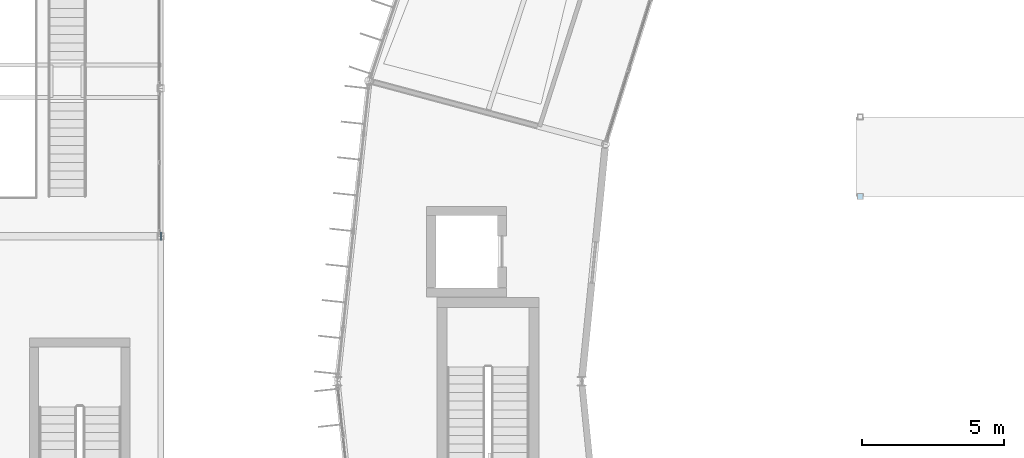
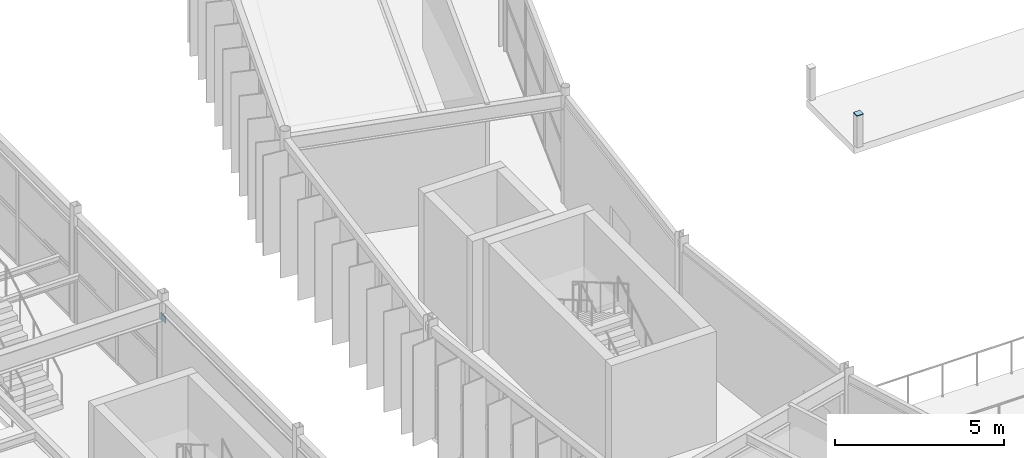
# One storey, part 112 of 147: 2 plates.
"""IFC4 building model written with IfcOpenShell, lengths in metres."""

from ifc_helpers import new_model, si_unit, direction, frame, origin, origin_2d, place, context, subcontext, project, spatial, rectangle, extrude, material, layer, layer_set, type_object, element, save


model = new_model("IFC4")

# Units and contexts
model_context = context("Model", 3, precision=1e-05, world=origin(), true_north=direction((0.0, 1.0)))
body_context = subcontext(model_context, "Body", "Model", "MODEL_VIEW")
ifc_project = project(units=[si_unit("LENGTHUNIT", "METRE"), si_unit("AREAUNIT", "SQUARE_METRE"), si_unit("VOLUMEUNIT", "CUBIC_METRE"), si_unit("PLANEANGLEUNIT", "RADIAN"), si_unit("MASSUNIT", "GRAM", prefix="KILO")], contexts=[model_context])

# Site, building, storey
site_placement = place(None, origin())
site = spatial("IfcSite", under=ifc_project, at=site_placement, CompositionType="ELEMENT")
building_placement = place(site_placement, origin())
building = spatial("IfcBuilding", under=site, at=building_placement, Name="Karori Crest Natural Sciences Institute", CompositionType="ELEMENT")
storey_placement = place(building_placement, frame((0.0, 0.0, 9.10009765625)))
storey = spatial("IfcBuildingStorey", under=building, at=storey_placement, Name="L02", CompositionType="ELEMENT", Elevation=9.10009765625)

# Plates
ifc_material = material(Name="Structural steel AS/NZS 3679.1 Grade 350", Category="steel")
ifc_layer = layer(ifc_material, 0.02490234375, Name="Structural steel AS/NZS 3679.1 Grade 350")
ifc_layer_set = layer_set([ifc_layer], Name="Structural steel AS/NZS 3679.1 Grade 350")
plate_type = type_object("IfcPlateType", Name="PLT-06-EL", PredefinedType="SHEET", material=ifc_layer_set)
plate_1_placement = place(storey_placement, frame((51.7900390625, 56.39990234375, 1.14990234375), z_axis=(0.0, 0.0, 1.0), x_axis=(1.0, 0.0, 0.0)))
element("IfcPlate", 1, at=plate_1_placement, inside=storey, type_object=plate_type, Name="Hollow section end cap EP-0183", PredefinedType="SHEET", context=body_context, shape_type="SweptSolid", body=[
    extrude(rectangle(XDim=0.219970703125, YDim=0.219970703125, at=origin_2d()), origin(), (0.0, 0.0, 1.0), 0.02490234375),
])
plate_2_placement = place(storey_placement, frame((27.199951171875, 55.0, 3.10986328125), z_axis=(0.0, 0.0, 1.0), x_axis=(0.0, 1.0, 0.0)))
element("IfcPlate", 2, at=plate_2_placement, inside=storey, type_object=plate_type, Name="Brace gusset plate EP-0252", PredefinedType="SHEET", context=body_context, shape_type="SweptSolid", body=[
    extrude(rectangle(XDim=0.280029296875, YDim=0.02490234375, at=origin_2d()), origin(), (0.0, 0.0, 1.0), 0.239990234375),
])

save(model, "model.ifc")
